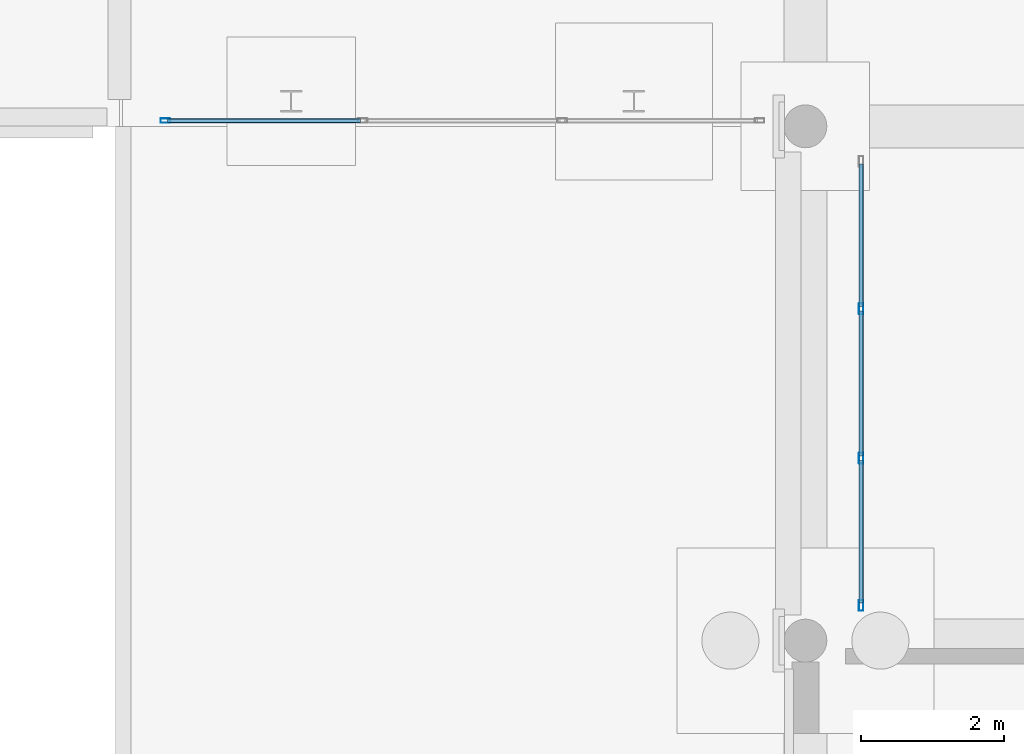
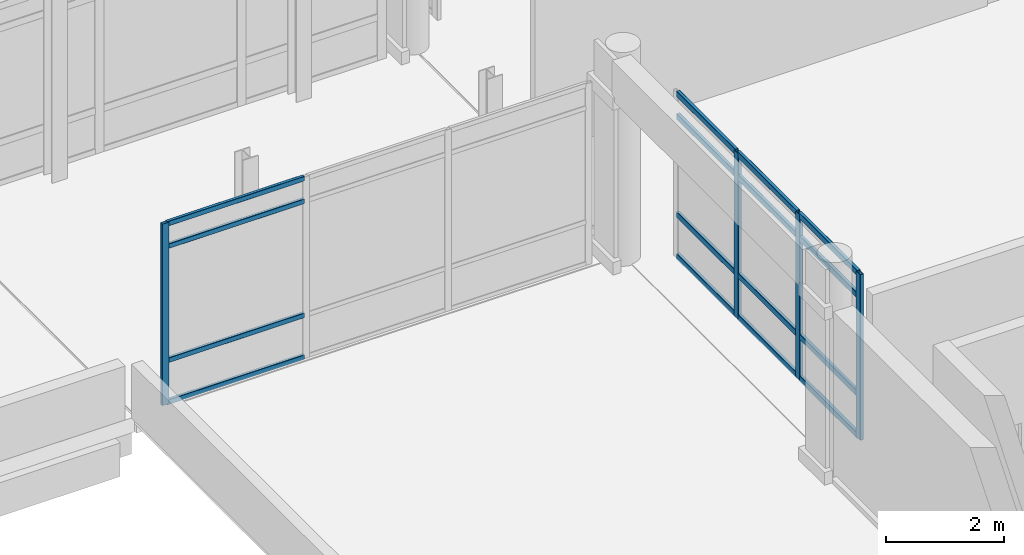
# One storey, part 72 of 196: 20 members, 2 elements without a shape of their own.
"""IFC4 building model written with IfcOpenShell, lengths in metres."""

from ifc_helpers import new_model, si_unit, direction, frame, origin, origin_2d, place, context, subcontext, project, spatial, hollow_rectangle, extrude, material, layer, layer_set, material_profile, profile_set, type_object, element, aggregate, save


model = new_model("IFC4")

# Units and contexts
model_context = context("Model", 3, precision=1e-05, world=origin(), true_north=direction((0.0, 1.0)))
body_context = subcontext(model_context, "Body", "Model", "MODEL_VIEW")
ifc_project = project(units=[si_unit("LENGTHUNIT", "METRE"), si_unit("AREAUNIT", "SQUARE_METRE"), si_unit("VOLUMEUNIT", "CUBIC_METRE"), si_unit("PLANEANGLEUNIT", "RADIAN"), si_unit("MASSUNIT", "GRAM", prefix="KILO")], contexts=[model_context])

# Site, building, storey
site_placement = place(None, origin())
site = spatial("IfcSite", under=ifc_project, at=site_placement, CompositionType="ELEMENT")
building_placement = place(site_placement, origin())
building = spatial("IfcBuilding", under=site, at=building_placement, Name="Asteropetra Specialist Clinic", CompositionType="ELEMENT")
storey_placement = place(building_placement, origin())
storey = spatial("IfcBuildingStorey", under=building, at=storey_placement, Name="L00", CompositionType="ELEMENT", Elevation=0.0)

# Curtain wall, member
ifc_material_1 = material(Name="Aluminium and low-E glass", Category="aluminium")
ifc_layer_1 = layer(ifc_material_1, 0.14990234375)
ifc_layer_set_1 = layer_set([ifc_layer_1], Name="Aluminium and low-E glass")
curtain_wall_type_1 = type_object("IfcCurtainWallType", Name="CW-SYS-02", PredefinedType="USERDEFINED", material=ifc_layer_set_1)
curtain_wall_1_placement = place(storey_placement, origin())
curtain_wall_1 = element("IfcCurtainWall", 1, at=curtain_wall_1_placement, inside=storey, type_object=curtain_wall_type_1, Name="Curtain Wall CW-113", ObjectType="UNITISED CURTAIN WALL", PredefinedType="USERDEFINED")
ifc_material_2 = material(Name="Aluminium 6063-T6", Category="aluminium")
ifc_material_profile_1 = material_profile(ifc_material_2, hollow_rectangle(XDim=0.06005859375, YDim=0.135009765625, WallThickness=0.00341796875, InnerFilletRadius=0.00341796875, OuterFilletRadius=0.007080078125, at=origin_2d()), Name="MUL 135x60x3.5")
ifc_profile_set_1 = profile_set([ifc_material_profile_1], Name="Aluminium 6063-T6")
member_type_1 = type_object("IfcMemberType", Name="CWM-135x60", PredefinedType="MULLION", material=ifc_profile_set_1)
member_1_placement = place(storey_placement, frame((67.840087890625, 48.080078125, 0.0), z_axis=(0.0, 0.0, 1.0), x_axis=(0.0, 1.0, 0.0)))
member_1 = element("IfcMember", 2, at=member_1_placement, type_object=member_type_1, Name="CW-113 mullion 1", PredefinedType="MULLION", context=body_context, shape_type="SweptSolid", body=[
    extrude(hollow_rectangle(XDim=0.06005859375, YDim=0.135009765625, WallThickness=0.00341796875, InnerFilletRadius=0.00341796875, OuterFilletRadius=0.007080078125, at=origin_2d()), origin(), (0.0, 0.0, 1.0), 3.77001953125),
])

# Curtain wall, members
ifc_material_3 = material(Name="Aluminium and low-E glass", Category="aluminium")
ifc_layer_2 = layer(ifc_material_3, 0.179931640625)
ifc_layer_set_2 = layer_set([ifc_layer_2], Name="Aluminium and low-E glass")
curtain_wall_type_2 = type_object("IfcCurtainWallType", Name="CW-SYS-10", PredefinedType="USERDEFINED", material=ifc_layer_set_2)
curtain_wall_2_placement = place(storey_placement, origin())
curtain_wall_2 = element("IfcCurtainWall", 3, at=curtain_wall_2_placement, inside=storey, type_object=curtain_wall_type_2, Name="Curtain Wall CW-169", ObjectType="STICK GLAZED COLONNADE", PredefinedType="USERDEFINED")
ifc_material_4 = material(Name="Aluminium 6063-T6", Category="aluminium")
ifc_material_profile_2 = material_profile(ifc_material_4, hollow_rectangle(XDim=0.06494140625, YDim=0.14990234375, WallThickness=0.00390625, InnerFilletRadius=0.00390625, OuterFilletRadius=0.008056640625, at=origin_2d()), Name="MUL 150x65x4.0")
ifc_profile_set_2 = profile_set([ifc_material_profile_2], Name="Aluminium 6063-T6")
member_type_2 = type_object("IfcMemberType", Name="CWM-150x65", PredefinedType="MULLION", material=ifc_profile_set_2)
member_2_placement = place(storey_placement, frame((77.580078125, 45.44677734375, 0.0), z_axis=(0.0, 0.0, 1.0), x_axis=(1.0, 0.0, 0.0)))
member_2 = element("IfcMember", 4, at=member_2_placement, type_object=member_type_2, Name="CW-169 mullion 2", PredefinedType="MULLION", context=body_context, shape_type="SweptSolid", body=[
    extrude(hollow_rectangle(XDim=0.06494140625, YDim=0.14990234375, WallThickness=0.00390625, InnerFilletRadius=0.00390625, OuterFilletRadius=0.008056640625, at=origin_2d()), origin(), (0.0, 0.0, 1.0), 3.43994140625),
])
member_3_placement = place(storey_placement, frame((77.580078125, 43.353271484375, 0.0), z_axis=(0.0, 0.0, 1.0), x_axis=(1.0, 0.0, 0.0)))
member_3 = element("IfcMember", 5, at=member_3_placement, type_object=member_type_2, Name="CW-169 mullion 3", PredefinedType="MULLION", context=body_context, shape_type="SweptSolid", body=[
    extrude(hollow_rectangle(XDim=0.06494140625, YDim=0.14990234375, WallThickness=0.00390625, InnerFilletRadius=0.00390625, OuterFilletRadius=0.008056640625, at=origin_2d()), origin(), (0.0, 0.0, 1.0), 3.43994140625),
])
member_4_placement = place(storey_placement, frame((77.580078125, 41.29248046875, 0.0), z_axis=(0.0, 0.0, 1.0), x_axis=(1.0, 0.0, 0.0)))
member_4 = element("IfcMember", 6, at=member_4_placement, type_object=member_type_2, Name="CW-169 mullion 4", PredefinedType="MULLION", context=body_context, shape_type="SweptSolid", body=[
    extrude(hollow_rectangle(XDim=0.06494140625, YDim=0.14990234375, WallThickness=0.00390625, InnerFilletRadius=0.00390625, OuterFilletRadius=0.008056640625, at=origin_2d()), origin(), (0.0, 0.0, 1.0), 3.43994140625),
])

# Member
ifc_material_5 = material(Name="Aluminium 6063-T6", Category="aluminium")
ifc_material_profile_3 = material_profile(ifc_material_5, hollow_rectangle(XDim=0.06005859375, YDim=0.10009765625, WallThickness=0.00341796875, InnerFilletRadius=0.00341796875, OuterFilletRadius=0.007080078125, at=origin_2d()), Name="TRN 100x60x3.5")
ifc_profile_set_3 = profile_set([ifc_material_profile_3], Name="Aluminium 6063-T6")
member_type_3 = type_object("IfcMemberType", Name="CWT-100x60", PredefinedType="USERDEFINED", material=ifc_profile_set_3)
member_5_placement = place(storey_placement, frame((67.8701171875, 48.080078125, 0.030029296875), z_axis=(1.0, 0.0, 0.0), x_axis=(0.0, 1.0, 0.0)))
member_5 = element("IfcMember", 7, at=member_5_placement, type_object=member_type_3, Name="CW-113 transom 1.1", ObjectType="TRANSOM", PredefinedType="USERDEFINED", context=body_context, shape_type="SweptSolid", body=[
    extrude(hollow_rectangle(XDim=0.06005859375, YDim=0.10009765625, WallThickness=0.00341796875, InnerFilletRadius=0.00341796875, OuterFilletRadius=0.007080078125, at=origin_2d()), origin(), (0.0, 0.0, 1.0), 2.703125),
])

member_6_placement = place(storey_placement, frame((67.8701171875, 48.080078125, 0.89990234375), z_axis=(1.0, 0.0, 0.0), x_axis=(0.0, 1.0, 0.0)))
member_6 = element("IfcMember", 8, at=member_6_placement, type_object=member_type_3, Name="CW-113 transom 1.2", ObjectType="TRANSOM", PredefinedType="USERDEFINED", context=body_context, shape_type="SweptSolid", body=[
    extrude(hollow_rectangle(XDim=0.06005859375, YDim=0.10009765625, WallThickness=0.00341796875, InnerFilletRadius=0.00341796875, OuterFilletRadius=0.007080078125, at=origin_2d()), origin(), (0.0, 0.0, 1.0), 2.703125),
])

member_7_placement = place(storey_placement, frame((67.8701171875, 48.080078125, 3.27001953125), z_axis=(1.0, 0.0, 0.0), x_axis=(0.0, 1.0, 0.0)))
member_7 = element("IfcMember", 9, at=member_7_placement, type_object=member_type_3, Name="CW-113 transom 1.3", ObjectType="TRANSOM", PredefinedType="USERDEFINED", context=body_context, shape_type="SweptSolid", body=[
    extrude(hollow_rectangle(XDim=0.06005859375, YDim=0.10009765625, WallThickness=0.00341796875, InnerFilletRadius=0.00341796875, OuterFilletRadius=0.007080078125, at=origin_2d()), origin(), (0.0, 0.0, 1.0), 2.703125),
])

member_8_placement = place(storey_placement, frame((67.8701171875, 48.080078125, 3.739990234375), z_axis=(1.0, 0.0, 0.0), x_axis=(0.0, 1.0, 0.0)))
member_8 = element("IfcMember", 10, at=member_8_placement, type_object=member_type_3, Name="CW-113 transom 1.4", ObjectType="TRANSOM", PredefinedType="USERDEFINED", context=body_context, shape_type="SweptSolid", body=[
    extrude(hollow_rectangle(XDim=0.06005859375, YDim=0.10009765625, WallThickness=0.00341796875, InnerFilletRadius=0.00341796875, OuterFilletRadius=0.007080078125, at=origin_2d()), origin(), (0.0, 0.0, 1.0), 2.703125),
])

aggregate(curtain_wall_1, [member_1, member_5, member_6, member_7, member_8])

ifc_material_6 = material(Name="Aluminium 6063-T6", Category="aluminium")
ifc_material_profile_4 = material_profile(ifc_material_6, hollow_rectangle(XDim=0.06494140625, YDim=0.1201171875, WallThickness=0.00390625, InnerFilletRadius=0.00390625, OuterFilletRadius=0.008056640625, at=origin_2d()), Name="TRN 120x65x4.0")
ifc_profile_set_4 = profile_set([ifc_material_profile_4], Name="Aluminium 6063-T6")
member_type_4 = type_object("IfcMemberType", Name="CWT-120x65", PredefinedType="USERDEFINED", material=ifc_profile_set_4)
member_9_placement = place(storey_placement, frame((77.580078125, 47.47509765625, 0.032470703125), z_axis=(0.0, -1.0, 0.0), x_axis=(1.0, 0.0, 0.0)))
member_9 = element("IfcMember", 11, at=member_9_placement, type_object=member_type_4, Name="CW-169 transom 1.1", ObjectType="TRANSOM", PredefinedType="USERDEFINED", context=body_context, shape_type="SweptSolid", body=[
    extrude(hollow_rectangle(XDim=0.06494140625, YDim=0.1201171875, WallThickness=0.00390625, InnerFilletRadius=0.00390625, OuterFilletRadius=0.008056640625, at=origin_2d()), origin(), (0.0, 0.0, 1.0), 1.995849609375),
])

member_10_placement = place(storey_placement, frame((77.580078125, 47.47509765625, 0.89990234375), z_axis=(0.0, -1.0, 0.0), x_axis=(1.0, 0.0, 0.0)))
member_10 = element("IfcMember", 12, at=member_10_placement, type_object=member_type_4, Name="CW-169 transom 1.2", ObjectType="TRANSOM", PredefinedType="USERDEFINED", context=body_context, shape_type="SweptSolid", body=[
    extrude(hollow_rectangle(XDim=0.06494140625, YDim=0.1201171875, WallThickness=0.00390625, InnerFilletRadius=0.00390625, OuterFilletRadius=0.008056640625, at=origin_2d()), origin(), (0.0, 0.0, 1.0), 1.995849609375),
])

member_11_placement = place(storey_placement, frame((77.580078125, 47.47509765625, 2.93994140625), z_axis=(0.0, -1.0, 0.0), x_axis=(1.0, 0.0, 0.0)))
member_11 = element("IfcMember", 13, at=member_11_placement, type_object=member_type_4, Name="CW-169 transom 1.3", ObjectType="TRANSOM", PredefinedType="USERDEFINED", context=body_context, shape_type="SweptSolid", body=[
    extrude(hollow_rectangle(XDim=0.06494140625, YDim=0.1201171875, WallThickness=0.00390625, InnerFilletRadius=0.00390625, OuterFilletRadius=0.008056640625, at=origin_2d()), origin(), (0.0, 0.0, 1.0), 1.995849609375),
])

member_12_placement = place(storey_placement, frame((77.580078125, 47.47509765625, 3.407470703125), z_axis=(0.0, -1.0, 0.0), x_axis=(1.0, 0.0, 0.0)))
member_12 = element("IfcMember", 14, at=member_12_placement, type_object=member_type_4, Name="CW-169 transom 1.4", ObjectType="TRANSOM", PredefinedType="USERDEFINED", context=body_context, shape_type="SweptSolid", body=[
    extrude(hollow_rectangle(XDim=0.06494140625, YDim=0.1201171875, WallThickness=0.00390625, InnerFilletRadius=0.00390625, OuterFilletRadius=0.008056640625, at=origin_2d()), origin(), (0.0, 0.0, 1.0), 1.995849609375),
])

member_13_placement = place(storey_placement, frame((77.580078125, 45.4140625, 0.032470703125), z_axis=(0.0, -1.0, 0.0), x_axis=(1.0, 0.0, 0.0)))
member_13 = element("IfcMember", 15, at=member_13_placement, type_object=member_type_4, Name="CW-169 transom 2.1", ObjectType="TRANSOM", PredefinedType="USERDEFINED", context=body_context, shape_type="SweptSolid", body=[
    extrude(hollow_rectangle(XDim=0.06494140625, YDim=0.1201171875, WallThickness=0.00390625, InnerFilletRadius=0.00390625, OuterFilletRadius=0.008056640625, at=origin_2d()), origin(), (0.0, 0.0, 1.0), 2.0283203125),
])

member_14_placement = place(storey_placement, frame((77.580078125, 45.4140625, 0.89990234375), z_axis=(0.0, -1.0, 0.0), x_axis=(1.0, 0.0, 0.0)))
member_14 = element("IfcMember", 16, at=member_14_placement, type_object=member_type_4, Name="CW-169 transom 2.2", ObjectType="TRANSOM", PredefinedType="USERDEFINED", context=body_context, shape_type="SweptSolid", body=[
    extrude(hollow_rectangle(XDim=0.06494140625, YDim=0.1201171875, WallThickness=0.00390625, InnerFilletRadius=0.00390625, OuterFilletRadius=0.008056640625, at=origin_2d()), origin(), (0.0, 0.0, 1.0), 2.0283203125),
])

member_15_placement = place(storey_placement, frame((77.580078125, 45.4140625, 2.93994140625), z_axis=(0.0, -1.0, 0.0), x_axis=(1.0, 0.0, 0.0)))
member_15 = element("IfcMember", 17, at=member_15_placement, type_object=member_type_4, Name="CW-169 transom 2.3", ObjectType="TRANSOM", PredefinedType="USERDEFINED", context=body_context, shape_type="SweptSolid", body=[
    extrude(hollow_rectangle(XDim=0.06494140625, YDim=0.1201171875, WallThickness=0.00390625, InnerFilletRadius=0.00390625, OuterFilletRadius=0.008056640625, at=origin_2d()), origin(), (0.0, 0.0, 1.0), 2.0283203125),
])

member_16_placement = place(storey_placement, frame((77.580078125, 45.4140625, 3.407470703125), z_axis=(0.0, -1.0, 0.0), x_axis=(1.0, 0.0, 0.0)))
member_16 = element("IfcMember", 18, at=member_16_placement, type_object=member_type_4, Name="CW-169 transom 2.4", ObjectType="TRANSOM", PredefinedType="USERDEFINED", context=body_context, shape_type="SweptSolid", body=[
    extrude(hollow_rectangle(XDim=0.06494140625, YDim=0.1201171875, WallThickness=0.00390625, InnerFilletRadius=0.00390625, OuterFilletRadius=0.008056640625, at=origin_2d()), origin(), (0.0, 0.0, 1.0), 2.0283203125),
])

member_17_placement = place(storey_placement, frame((77.580078125, 43.32080078125, 0.032470703125), z_axis=(0.0, -1.0, 0.0), x_axis=(1.0, 0.0, 0.0)))
member_17 = element("IfcMember", 19, at=member_17_placement, type_object=member_type_4, Name="CW-169 transom 3.1", ObjectType="TRANSOM", PredefinedType="USERDEFINED", context=body_context, shape_type="SweptSolid", body=[
    extrude(hollow_rectangle(XDim=0.06494140625, YDim=0.1201171875, WallThickness=0.00390625, InnerFilletRadius=0.00390625, OuterFilletRadius=0.008056640625, at=origin_2d()), origin(), (0.0, 0.0, 1.0), 1.995849609375),
])

member_18_placement = place(storey_placement, frame((77.580078125, 43.32080078125, 0.89990234375), z_axis=(0.0, -1.0, 0.0), x_axis=(1.0, 0.0, 0.0)))
member_18 = element("IfcMember", 20, at=member_18_placement, type_object=member_type_4, Name="CW-169 transom 3.2", ObjectType="TRANSOM", PredefinedType="USERDEFINED", context=body_context, shape_type="SweptSolid", body=[
    extrude(hollow_rectangle(XDim=0.06494140625, YDim=0.1201171875, WallThickness=0.00390625, InnerFilletRadius=0.00390625, OuterFilletRadius=0.008056640625, at=origin_2d()), origin(), (0.0, 0.0, 1.0), 1.995849609375),
])

member_19_placement = place(storey_placement, frame((77.580078125, 43.32080078125, 2.93994140625), z_axis=(0.0, -1.0, 0.0), x_axis=(1.0, 0.0, 0.0)))
member_19 = element("IfcMember", 21, at=member_19_placement, type_object=member_type_4, Name="CW-169 transom 3.3", ObjectType="TRANSOM", PredefinedType="USERDEFINED", context=body_context, shape_type="SweptSolid", body=[
    extrude(hollow_rectangle(XDim=0.06494140625, YDim=0.1201171875, WallThickness=0.00390625, InnerFilletRadius=0.00390625, OuterFilletRadius=0.008056640625, at=origin_2d()), origin(), (0.0, 0.0, 1.0), 1.995849609375),
])

member_20_placement = place(storey_placement, frame((77.580078125, 43.32080078125, 3.407470703125), z_axis=(0.0, -1.0, 0.0), x_axis=(1.0, 0.0, 0.0)))
member_20 = element("IfcMember", 22, at=member_20_placement, type_object=member_type_4, Name="CW-169 transom 3.4", ObjectType="TRANSOM", PredefinedType="USERDEFINED", context=body_context, shape_type="SweptSolid", body=[
    extrude(hollow_rectangle(XDim=0.06494140625, YDim=0.1201171875, WallThickness=0.00390625, InnerFilletRadius=0.00390625, OuterFilletRadius=0.008056640625, at=origin_2d()), origin(), (0.0, 0.0, 1.0), 1.995849609375),
])

aggregate(curtain_wall_2, [member_2, member_3, member_4, member_9, member_10, member_11, member_12, member_13, member_14, member_15, member_16, member_17, member_18, member_19, member_20])

save(model, "model.ifc")
